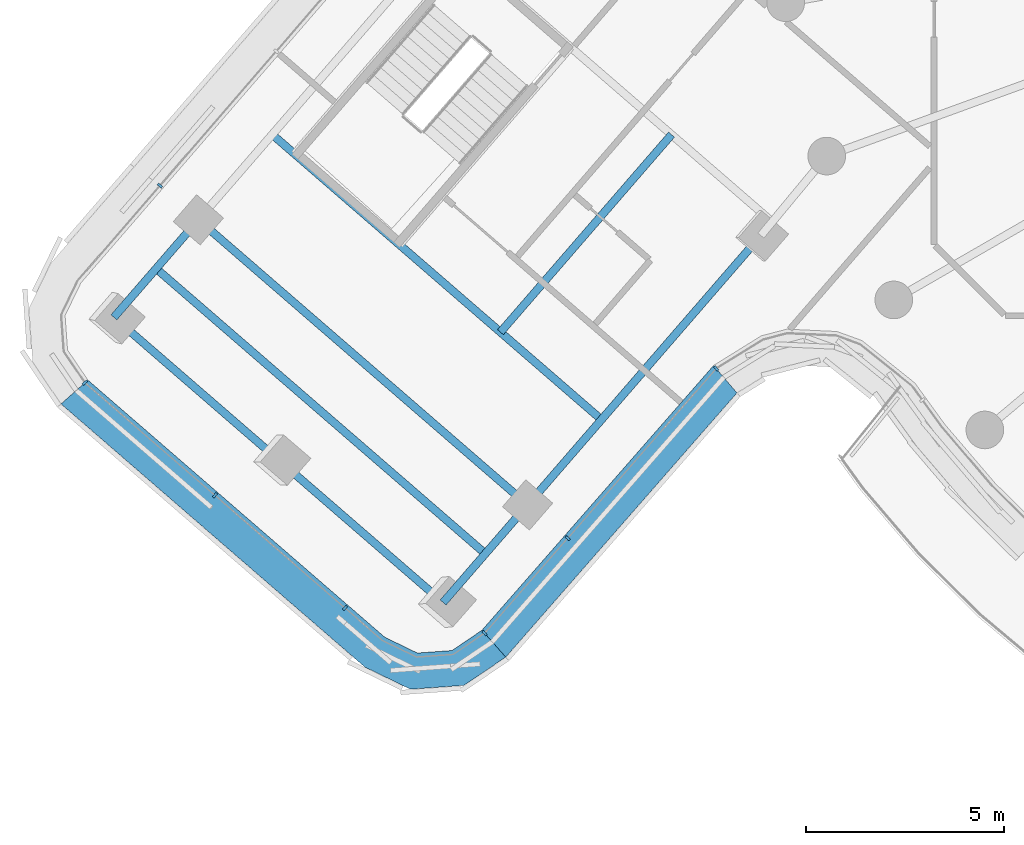
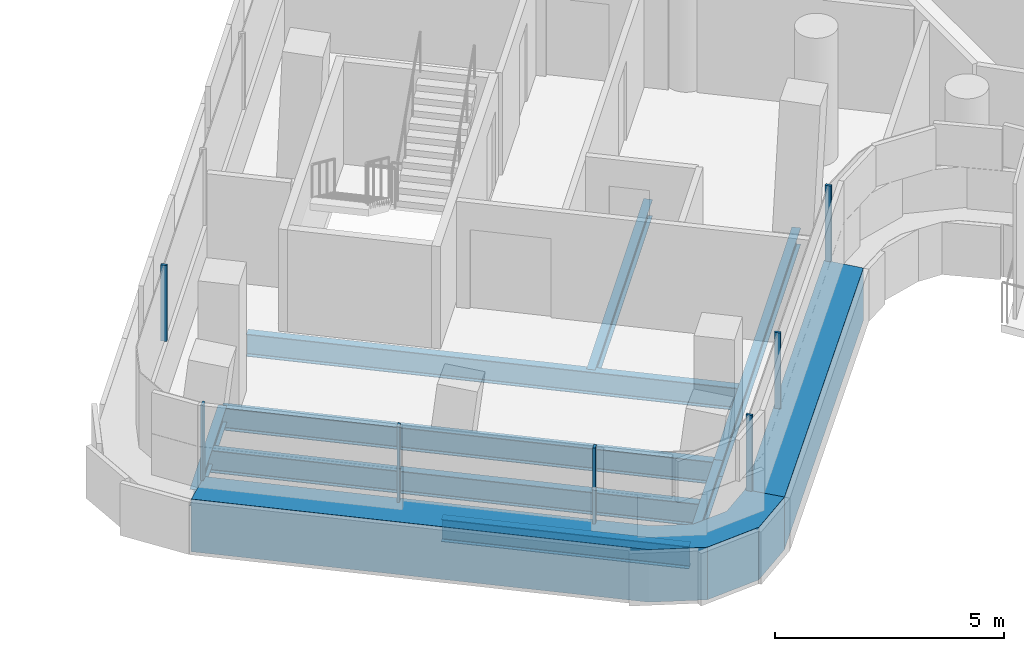
# One storey, part 3 of 32: 9 beams, 9 members, 4 elements without a shape of their own.
"""IFC4 building model written with IfcOpenShell, lengths in metres."""

from ifc_helpers import new_model, si_unit, direction, frame, origin, origin_2d, place, context, subcontext, project, spatial, polyline, rectangle, i_section, outline, extrude, material, layer, layer_set, material_profile, profile_set, type_object, element, aggregate, save


model = new_model("IFC4")

# Units and contexts
model_context = context("Model", 3, precision=1e-05, world=origin(), true_north=direction((0.0, 1.0)))
body_context = subcontext(model_context, "Body", "Model", "MODEL_VIEW")
ifc_project = project(units=[si_unit("LENGTHUNIT", "METRE"), si_unit("AREAUNIT", "SQUARE_METRE"), si_unit("VOLUMEUNIT", "CUBIC_METRE"), si_unit("PLANEANGLEUNIT", "RADIAN"), si_unit("MASSUNIT", "GRAM", prefix="KILO")], contexts=[model_context])

# Site, building, storey
site_placement = place(None, origin())
site = spatial("IfcSite", under=ifc_project, at=site_placement, CompositionType="ELEMENT")
building_placement = place(site_placement, origin())
building = spatial("IfcBuilding", under=site, at=building_placement, Name="Tamarind Cross Interchange Tower", CompositionType="ELEMENT")
storey_placement = place(building_placement, frame((0.0, 0.0, 211.300048828125)))
storey = spatial("IfcBuildingStorey", under=building, at=storey_placement, Name="L53", CompositionType="ELEMENT", Elevation=211.300048828125)

# Beams
ifc_material_1 = material(Name="Steel Q355B", Category="steel")
ifc_material_profile_1 = material_profile(ifc_material_1, i_section(OverallWidth=0.198974609375, OverallDepth=0.446044921875, WebThickness=0.008056640625, FlangeThickness=0.011962890625, FilletRadius=0.012939453125, at=origin_2d()), Name="HN 446x199x8x12")
ifc_profile_set_1 = profile_set([ifc_material_profile_1], Name="Steel Q355B")
beam_type_1 = type_object("IfcBeamType", Name="Composite beam HN 446x199x8x12 Q355B", PredefinedType="BEAM", material=ifc_profile_set_1)
for number, where, z_axis, x_axis, name in (
    (1, (-39.61669921875, -11.940185546875, -0.363037109375), (0.654645265822, 0.755936224782, 0.0), (-0.755936224782, 0.654645265822, 0.0), "Beam W-edgeem5"),
    (2, (-31.3017578125, -19.141357421875, -0.363037109375), (0.654688074553, 0.755899150045, 0.0), (-0.755899150045, 0.654688074553, 0.0), "Beam W-edgeep2"),
):
    element("IfcBeam", number, at=place(storey_placement, frame(where, z_axis=z_axis, x_axis=x_axis)), inside=storey, type_object=beam_type_1, Name=name, PredefinedType="BEAM", context=body_context, shape_type="SweptSolid", body=[
        extrude(i_section(OverallWidth=0.198974609375, OverallDepth=0.446044921875, WebThickness=0.008056640625, FlangeThickness=0.011962890625, FilletRadius=0.012939453125, at=origin_2d()), origin(), (0.0, 0.0, 1.0), 3.2587890625),
    ])
beam_1_placement = place(storey_placement, frame((-29.168212890625, -16.677978515625, -0.363037109375), z_axis=(0.654674381237, 0.755911009677, 0.0), x_axis=(-0.755911009677, 0.654674381237, 0.0)))
element("IfcBeam", 3, at=beam_1_placement, inside=storey, type_object=beam_type_1, Name="Beam W-edgeep3", PredefinedType="BEAM", context=body_context, shape_type="SweptSolid", body=[
    extrude(i_section(OverallWidth=0.198974609375, OverallDepth=0.446044921875, WebThickness=0.008056640625, FlangeThickness=0.011962890625, FilletRadius=0.012939453125, at=origin_2d()), origin(), (0.0, 0.0, 1.0), 9.0),
])
beam_2_placement = place(storey_placement, frame((-25.53271484375, -7.3251953125, -0.363037109375), z_axis=(-0.654669965144, -0.755914834316, 0.0), x_axis=(0.755914834316, -0.654669965144, 0.0)))
element("IfcBeam", 4, at=beam_2_placement, inside=storey, type_object=beam_type_1, Name="Beam W-stripp", PredefinedType="BEAM", context=body_context, shape_type="SweptSolid", body=[
    extrude(i_section(OverallWidth=0.198974609375, OverallDepth=0.446044921875, WebThickness=0.008056640625, FlangeThickness=0.011962890625, FilletRadius=0.012939453125, at=origin_2d()), origin(), (0.0, 0.0, 1.0), 6.599853515625),
])
ifc_material_profile_2 = material_profile(ifc_material_1, i_section(OverallWidth=0.198974609375, OverallDepth=0.595947265625, WebThickness=0.010009765625, FlangeThickness=0.014892578125, FilletRadius=0.012939453125, at=origin_2d()), Name="HN 596x199x10x15")
ifc_profile_set_2 = profile_set([ifc_material_profile_2], Name="Steel Q355B")
beam_type_2 = type_object("IfcBeamType", Name="Composite beam HN 596x199x10x15 Q355B", PredefinedType="BEAM", material=ifc_profile_set_2)
for number, where, z_axis, x_axis, name in (
    (5, (-39.61669921875, -11.940185546875, -0.43798828125), (0.755918985934, -0.654665171446, 0.0), (0.654665171446, 0.755918985934, 0.0), "Beam W-tip0"),
    (6, (-35.459228515625, -15.540771484375, -0.43798828125), (0.755918985934, -0.654665171446, 0.0), (0.654665171446, 0.755918985934, 0.0), "Beam W-tip1"),
):
    element("IfcBeam", number, at=place(storey_placement, frame(where, z_axis=z_axis, x_axis=x_axis)), inside=storey, type_object=beam_type_2, Name=name, PredefinedType="BEAM", context=body_context, shape_type="SweptSolid", body=[
        extrude(i_section(OverallWidth=0.198974609375, OverallDepth=0.595947265625, WebThickness=0.010009765625, FlangeThickness=0.014892578125, FilletRadius=0.012939453125, at=origin_2d()), origin(), (0.0, 0.0, 1.0), 5.5),
    ])
for number, where, z_axis, x_axis, name in (
    (7, (-35.617431640625, -7.322265625, -0.43798828125), (0.755908002238, -0.654677853721, 0.0), (0.654677853721, 0.755908002238, 0.0), "Beam W-x364"),
    (8, (-37.4833984375, -9.476806640625, -0.43798828125), (0.755928498193, -0.654654187812, 0.0), (0.654654187812, 0.755928498193, 0.0), "Beam W-x393"),
    (9, (-38.550048828125, -10.70849609375, -0.43798828125), (0.755928498193, -0.654654187812, 0.0), (0.654654187812, 0.755928498193, 0.0), "Beam W-x409"),
):
    element("IfcBeam", number, at=place(storey_placement, frame(where, z_axis=z_axis, x_axis=x_axis)), inside=storey, type_object=beam_type_2, Name=name, PredefinedType="BEAM", context=body_context, shape_type="SweptSolid", body=[
        extrude(i_section(OverallWidth=0.198974609375, OverallDepth=0.595947265625, WebThickness=0.010009765625, FlangeThickness=0.014892578125, FilletRadius=0.012939453125, at=origin_2d()), origin(), (0.0, 0.0, 1.0), 11.0),
    ])

# Curtain wall, member
ifc_material_2 = material(Name="Aluminium 6063-T6", Category="aluminium")
ifc_layer = layer(ifc_material_2, 0.139892578125)
ifc_layer_set = layer_set([ifc_layer], Name="Aluminium 6063-T6")
curtain_wall_type = type_object("IfcCurtainWallType", Name="Hotel curtain wall, 4.5 m bays", PredefinedType="NOTDEFINED", material=ifc_layer_set)
curtain_wall_1_placement = place(storey_placement, origin())
curtain_wall_1 = element("IfcCurtainWall", 10, at=curtain_wall_1_placement, inside=storey, type_object=curtain_wall_type, Name="CWS-L53-00", PredefinedType="NOTDEFINED")
ifc_material_3 = material(Name="Aluminium and insulated spandrel panel", Category="aluminium")
member_type_1 = type_object("IfcMemberType", Name="Floor-edge blade transom", PredefinedType="USERDEFINED", material=ifc_material_3)
member_1_placement = place(storey_placement, origin())
member_1 = element("IfcMember", 11, at=member_1_placement, type_object=member_type_1, Name="CWT-L53-00", ObjectType="TRANSOM", PredefinedType="USERDEFINED", context=body_context, shape_type="SweptSolid", body=[
    extrude(outline(polyline([(-40.2744140625, -13.523681640625), (-32.77490234375, -20.0185546875), (-31.951416015625, -20.418212890625), (-31.0791015625, -20.355712890625), (-30.320556640625, -19.842041015625), (-29.7197265625, -20.52197265625), (-30.774169921875, -21.236083984375), (-32.12744140625, -21.333251953125), (-33.274658203125, -20.7763671875), (-40.953125, -14.126220703125), (-40.2744140625, -13.523681640625)])), origin(), (0.0, 0.0, 1.0), 1.39990234375),
])

curtain_wall_2_placement = place(storey_placement, origin())
curtain_wall_2 = element("IfcCurtainWall", 12, at=curtain_wall_2_placement, inside=storey, type_object=curtain_wall_type, Name="CWS-L53-01", PredefinedType="NOTDEFINED")
member_2_placement = place(storey_placement, origin())
member_2 = element("IfcMember", 13, at=member_2_placement, type_object=member_type_1, Name="CWT-L53-01", ObjectType="TRANSOM", PredefinedType="USERDEFINED", context=body_context, shape_type="SweptSolid", body=[
    extrude(outline(polyline([(-30.320556640625, -19.842041015625), (-24.4697265625, -13.15478515625), (-23.880859375, -13.848388671875), (-29.7197265625, -20.52197265625), (-30.320556640625, -19.842041015625)])), origin(), (0.0, 0.0, 1.0), 1.39990234375),
])

# Member
ifc_material_profile_3 = material_profile(ifc_material_2, rectangle(XDim=0.06005859375, YDim=0.139892578125, at=origin_2d()), Name="Mullion CW2")
ifc_profile_set_3 = profile_set([ifc_material_profile_3], Name="Aluminium 6063-T6")
member_type_2 = type_object("IfcMemberType", Name="Mullion CW2", PredefinedType="MULLION", material=ifc_profile_set_3)
member_3_placement = place(storey_placement, frame((-40.349853515625, -13.590576171875, 1.39990234375), z_axis=(0.0, 0.0, 1.0), x_axis=(0.663999298098, -0.747733195816, 0.0)))
member_3 = element("IfcMember", 14, at=member_3_placement, type_object=member_type_2, Name="CWM-L53-00-00", PredefinedType="MULLION", context=body_context, shape_type="SweptSolid", body=[
    extrude(rectangle(XDim=0.06005859375, YDim=0.139892578125, at=origin_2d()), origin(), (0.0, 0.0, 1.0), 2.02001953125),
])

member_4_placement = place(storey_placement, frame((-37.06494140625, -16.435546875, 1.39990234375), z_axis=(0.0, 0.0, 1.0), x_axis=(0.755917458902, -0.654666934653, 0.0)))
member_4 = element("IfcMember", 15, at=member_4_placement, type_object=member_type_2, Name="CWM-L53-00-01", PredefinedType="MULLION", context=body_context, shape_type="SweptSolid", body=[
    extrude(rectangle(XDim=0.06005859375, YDim=0.139892578125, at=origin_2d()), origin(), (0.0, 0.0, 1.0), 2.02001953125),
])

member_5_placement = place(storey_placement, frame((-33.780029296875, -19.2802734375, 1.39990234375), z_axis=(0.0, 0.0, 1.0), x_axis=(0.755917458902, -0.654666934653, 0.0)))
member_5 = element("IfcMember", 16, at=member_5_placement, type_object=member_type_2, Name="CWM-L53-00-02", PredefinedType="MULLION", context=body_context, shape_type="SweptSolid", body=[
    extrude(rectangle(XDim=0.06005859375, YDim=0.139892578125, at=origin_2d()), origin(), (0.0, 0.0, 1.0), 2.02001953125),
])

aggregate(curtain_wall_1, [member_3, member_4, member_5, member_1])

member_6_placement = place(storey_placement, frame((-30.25390625, -19.91748046875, 1.39990234375), z_axis=(0.0, 0.0, 1.0), x_axis=(0.749405592705, 0.662111212428, 0.0)))
member_6 = element("IfcMember", 17, at=member_6_placement, type_object=member_type_2, Name="CWM-L53-01-00", PredefinedType="MULLION", context=body_context, shape_type="SweptSolid", body=[
    extrude(rectangle(XDim=0.06005859375, YDim=0.139892578125, at=origin_2d()), origin(), (0.0, 0.0, 1.0), 2.02001953125),
])

member_7_placement = place(storey_placement, frame((-28.15478515625, -17.518310546875, 1.39990234375), z_axis=(0.0, 0.0, 1.0), x_axis=(0.658471825561, 0.752605377966, 0.0)))
member_7 = element("IfcMember", 18, at=member_7_placement, type_object=member_type_2, Name="CWM-L53-01-01", PredefinedType="MULLION", context=body_context, shape_type="SweptSolid", body=[
    extrude(rectangle(XDim=0.06005859375, YDim=0.139892578125, at=origin_2d()), origin(), (0.0, 0.0, 1.0), 2.02001953125),
])

aggregate(curtain_wall_2, [member_6, member_7, member_2])

# Curtain wall, member
curtain_wall_3_placement = place(storey_placement, origin())
curtain_wall_3 = element("IfcCurtainWall", 19, at=curtain_wall_3_placement, inside=storey, type_object=curtain_wall_type, Name="CWS-L53-02", PredefinedType="NOTDEFINED")
member_8_placement = place(storey_placement, frame((-24.404296875, -13.23193359375, 1.39990234375), z_axis=(0.0, 0.0, 1.0), x_axis=(0.762335459916, 0.647182081453, 0.0)))
member_8 = element("IfcMember", 20, at=member_8_placement, type_object=member_type_2, Name="CWM-L53-02-00", PredefinedType="MULLION", context=body_context, shape_type="SweptSolid", body=[
    extrude(rectangle(XDim=0.06005859375, YDim=0.139892578125, at=origin_2d()), origin(), (0.0, 0.0, 1.0), 2.02001953125),
])
aggregate(curtain_wall_3, [member_8])

curtain_wall_4_placement = place(storey_placement, origin())
curtain_wall_4 = element("IfcCurtainWall", 21, at=curtain_wall_4_placement, inside=storey, type_object=curtain_wall_type, Name="CWS-L53-11", PredefinedType="NOTDEFINED")
member_9_placement = place(storey_placement, frame((-38.454345703125, -8.6123046875, 1.39990234375), z_axis=(0.0, 0.0, 1.0), x_axis=(-0.654666934653, -0.755917458902, 0.0)))
member_9 = element("IfcMember", 22, at=member_9_placement, type_object=member_type_2, Name="CWM-L53-11-04", PredefinedType="MULLION", context=body_context, shape_type="SweptSolid", body=[
    extrude(rectangle(XDim=0.06005859375, YDim=0.139892578125, at=origin_2d()), origin(), (0.0, 0.0, 1.0), 2.02001953125),
])
aggregate(curtain_wall_4, [member_9])

save(model, "model.ifc")
